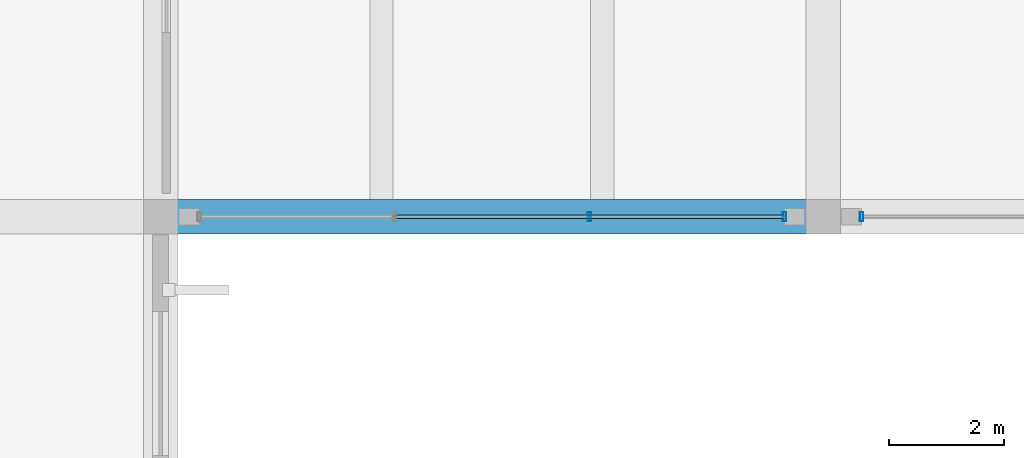
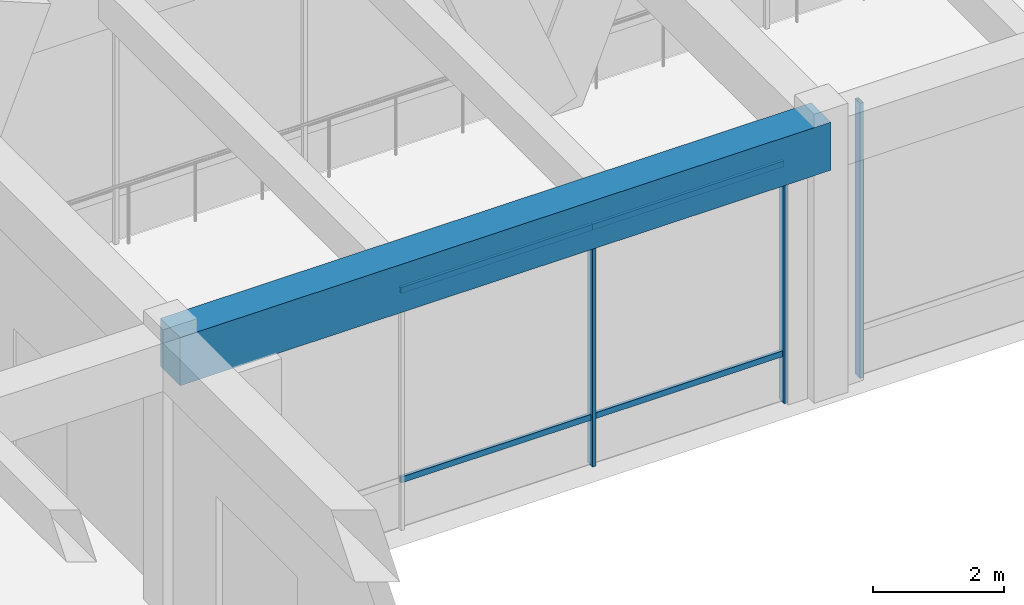
# One storey, part 10 of 148: 7 members, 1 beam, 2 elements without a shape of their own.
"""IFC4 building model written with IfcOpenShell, lengths in metres."""

from ifc_helpers import new_model, si_unit, direction, frame, origin, origin_2d, place, context, subcontext, project, spatial, rectangle, hollow_rectangle, extrude, material, material_profile, profile_set, type_object, element, aggregate, save


model = new_model("IFC4")

# Units and contexts
model_context = context("Model", 3, precision=1e-05, world=origin(), true_north=direction((0.0, 1.0)))
body_context = subcontext(model_context, "Body", "Model", "MODEL_VIEW")
ifc_project = project(units=[si_unit("LENGTHUNIT", "METRE"), si_unit("AREAUNIT", "SQUARE_METRE"), si_unit("VOLUMEUNIT", "CUBIC_METRE"), si_unit("PLANEANGLEUNIT", "RADIAN"), si_unit("MASSUNIT", "GRAM", prefix="KILO")], contexts=[model_context])

# Site, building, storey
site_placement = place(None, origin())
site = spatial("IfcSite", under=ifc_project, at=site_placement, CompositionType="ELEMENT")
building_placement = place(site_placement, origin())
building = spatial("IfcBuilding", under=site, at=building_placement, Name="Ologun Quay Terminus", CompositionType="ELEMENT")
storey_placement = place(building_placement, frame((0.0, 0.0, 8.39990234375)))
storey = spatial("IfcBuildingStorey", under=building, at=storey_placement, Name="L02", CompositionType="ELEMENT", Elevation=8.39990234375)

# Curtain wall, members
ifc_material_1 = material(Name="Aluminium 6063-T6", Category="aluminium")
curtain_wall_type = type_object("IfcCurtainWallType", Name="Concourse Departure Curtain Wall 10700x4950", PredefinedType="USERDEFINED", material=ifc_material_1)
curtain_wall_1_placement = place(storey_placement, origin())
curtain_wall_1 = element("IfcCurtainWall", 1, at=curtain_wall_1_placement, inside=storey, type_object=curtain_wall_type, Name="CW-05 Curtain Wall CW-L02-020", ObjectType="UNITISED CURTAIN WALL", PredefinedType="USERDEFINED")
ifc_material_2 = material(Name="Aluminium 6063-T6", Category="aluminium")
ifc_material_profile_1 = material_profile(ifc_material_2, hollow_rectangle(XDim=0.06005859375, YDim=0.159912109375, WallThickness=0.00390625, at=origin_2d()), Name="ALU 160x60x4")
ifc_profile_set_1 = profile_set([ifc_material_profile_1], Name="Aluminium 6063-T6")
member_type_1 = type_object("IfcMemberType", Name="Curtain Wall Standard Mullion 160x65", PredefinedType="MULLION", material=ifc_profile_set_1)
member_1_placement = place(storey_placement, frame((18.943359375, 27.199951171875, 0.0), z_axis=(0.0, 0.0, 1.0), x_axis=(1.0, 0.0, 0.0)))
member_1 = element("IfcMember", 2, at=member_1_placement, type_object=member_type_1, Name="CW-L02-020 Mullion 3", PredefinedType="MULLION", context=body_context, shape_type="SweptSolid", body=[
    extrude(hollow_rectangle(XDim=0.06005859375, YDim=0.159912109375, WallThickness=0.00390625, at=origin_2d()), origin(), (0.0, 0.0, 1.0), 5.14013671875),
])
member_2_placement = place(storey_placement, frame((22.330078125, 27.199951171875, 0.0), z_axis=(0.0, 0.0, 1.0), x_axis=(1.0, 0.0, 0.0)))
member_2 = element("IfcMember", 3, at=member_2_placement, type_object=member_type_1, Name="CW-L02-020 Mullion 4", PredefinedType="MULLION", context=body_context, shape_type="SweptSolid", body=[
    extrude(hollow_rectangle(XDim=0.06005859375, YDim=0.159912109375, WallThickness=0.00390625, at=origin_2d()), origin(), (0.0, 0.0, 1.0), 5.14013671875),
])

# Curtain wall, member
curtain_wall_2_placement = place(storey_placement, origin())
curtain_wall_2 = element("IfcCurtainWall", 4, at=curtain_wall_2_placement, inside=storey, type_object=curtain_wall_type, Name="CW-05 Curtain Wall CW-L02-021", ObjectType="UNITISED CURTAIN WALL", PredefinedType="USERDEFINED")
member_3_placement = place(storey_placement, frame((23.669921875, 27.199951171875, 0.0), z_axis=(0.0, 0.0, 1.0), x_axis=(1.0, 0.0, 0.0)))
member_3 = element("IfcMember", 5, at=member_3_placement, type_object=member_type_1, Name="CW-L02-021 Mullion 1", PredefinedType="MULLION", context=body_context, shape_type="SweptSolid", body=[
    extrude(hollow_rectangle(XDim=0.06005859375, YDim=0.159912109375, WallThickness=0.00390625, at=origin_2d()), origin(), (0.0, 0.0, 1.0), 5.14013671875),
])
aggregate(curtain_wall_2, [member_3])

# Member
ifc_material_3 = material(Name="Aluminium 6063-T6", Category="aluminium")
ifc_material_profile_2 = material_profile(ifc_material_3, hollow_rectangle(XDim=0.054931640625, YDim=0.110107421875, WallThickness=0.00390625, at=origin_2d()), Name="ALU 110x55x4")
ifc_profile_set_2 = profile_set([ifc_material_profile_2], Name="Aluminium 6063-T6")
member_type_2 = type_object("IfcMemberType", Name="Curtain Wall Standard Transom 110x55", PredefinedType="USERDEFINED", material=ifc_profile_set_2)
member_4_placement = place(storey_placement, frame((15.556640625, 27.199951171875, 0.900146484375), z_axis=(1.0, 0.0, 0.0), x_axis=(0.0, 1.0, 0.0)))
member_4 = element("IfcMember", 6, at=member_4_placement, type_object=member_type_2, Name="CW-L02-020 Transom B2-1", ObjectType="TRANSOM", PredefinedType="USERDEFINED", context=body_context, shape_type="SweptSolid", body=[
    extrude(hollow_rectangle(XDim=0.054931640625, YDim=0.110107421875, WallThickness=0.00390625, at=origin_2d()), origin(), (0.0, 0.0, 1.0), 3.38671875),
])

member_5_placement = place(storey_placement, frame((15.556640625, 27.199951171875, 4.440185546875), z_axis=(1.0, 0.0, 0.0), x_axis=(0.0, 1.0, 0.0)))
member_5 = element("IfcMember", 7, at=member_5_placement, type_object=member_type_2, Name="CW-L02-020 Transom B2-2", ObjectType="TRANSOM", PredefinedType="USERDEFINED", context=body_context, shape_type="SweptSolid", body=[
    extrude(hollow_rectangle(XDim=0.054931640625, YDim=0.110107421875, WallThickness=0.00390625, at=origin_2d()), origin(), (0.0, 0.0, 1.0), 3.38671875),
])

member_6_placement = place(storey_placement, frame((18.943359375, 27.199951171875, 0.900146484375), z_axis=(1.0, 0.0, 0.0), x_axis=(0.0, 1.0, 0.0)))
member_6 = element("IfcMember", 8, at=member_6_placement, type_object=member_type_2, Name="CW-L02-020 Transom B3-1", ObjectType="TRANSOM", PredefinedType="USERDEFINED", context=body_context, shape_type="SweptSolid", body=[
    extrude(hollow_rectangle(XDim=0.054931640625, YDim=0.110107421875, WallThickness=0.00390625, at=origin_2d()), origin(), (0.0, 0.0, 1.0), 3.38671875),
])

member_7_placement = place(storey_placement, frame((18.943359375, 27.199951171875, 4.440185546875), z_axis=(1.0, 0.0, 0.0), x_axis=(0.0, 1.0, 0.0)))
member_7 = element("IfcMember", 9, at=member_7_placement, type_object=member_type_2, Name="CW-L02-020 Transom B3-2", ObjectType="TRANSOM", PredefinedType="USERDEFINED", context=body_context, shape_type="SweptSolid", body=[
    extrude(hollow_rectangle(XDim=0.054931640625, YDim=0.110107421875, WallThickness=0.00390625, at=origin_2d()), origin(), (0.0, 0.0, 1.0), 3.38671875),
])

aggregate(curtain_wall_1, [member_1, member_2, member_4, member_5, member_6, member_7])

# Beam
ifc_material_4 = material(Name="Concrete C40/50", Category="concrete")
ifc_material_profile_3 = material_profile(ifc_material_4, rectangle(XDim=0.60009765625, YDim=0.89990234375, at=origin_2d()), Name="RC 600x900")
ifc_profile_set_3 = profile_set([ifc_material_profile_3], Name="Concrete C40/50")
beam_type = type_object("IfcBeamType", Name="Station Frame Girder 600x900", PredefinedType="BEAM", material=ifc_profile_set_3)
beam_placement = place(storey_placement, frame((11.5, 27.199951171875, 4.7001953125), z_axis=(1.0, 0.0, 0.0), x_axis=(0.0, 1.0, 0.0)))
element("IfcBeam", 10, at=beam_placement, inside=storey, type_object=beam_type, Name="B3 Beam 2/D L02", PredefinedType="BEAM", context=body_context, shape_type="SweptSolid", body=[
    extrude(rectangle(XDim=0.60009765625, YDim=0.89990234375, at=origin_2d()), origin(), (0.0, 0.0, 1.0), 11.5),
])

save(model, "model.ifc")
